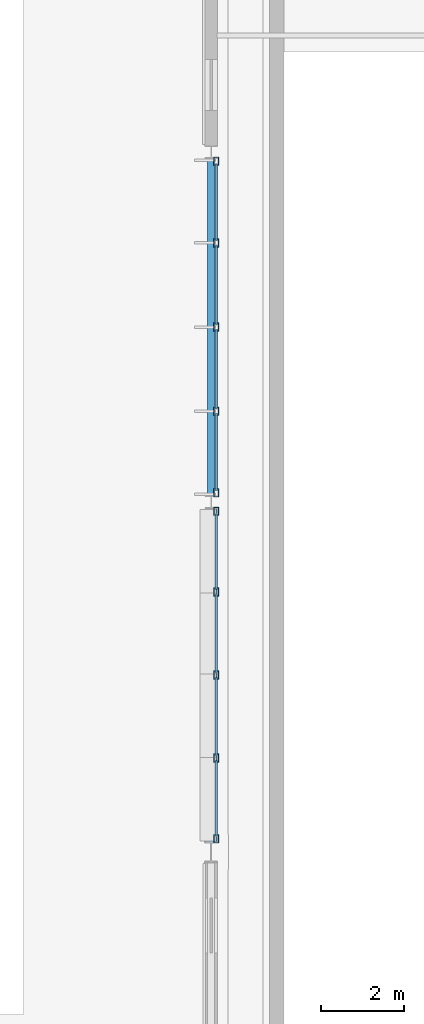
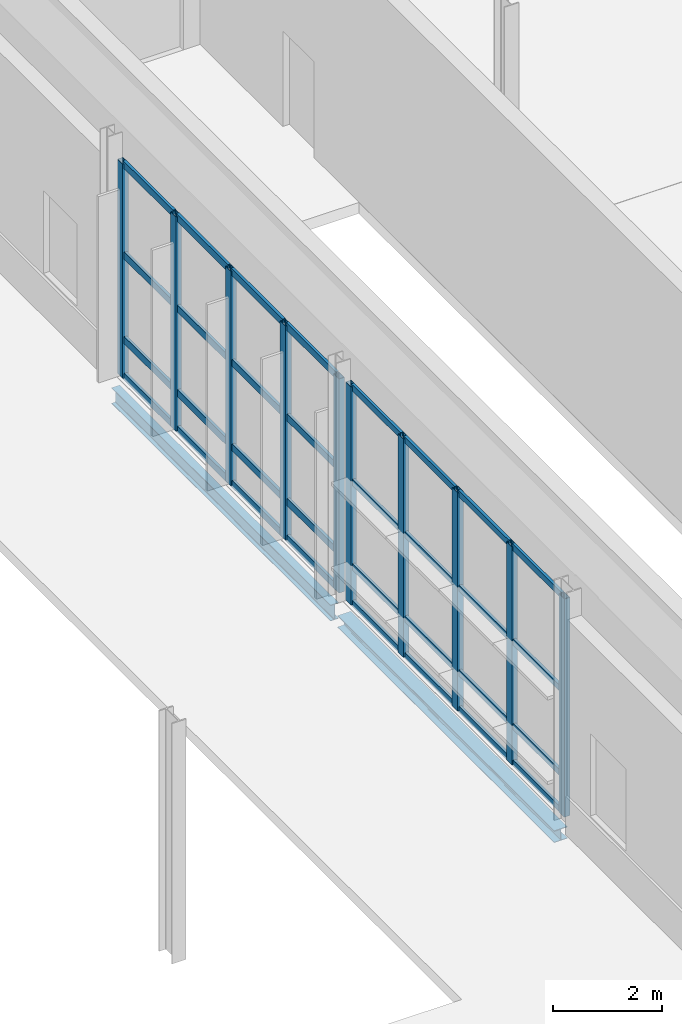
# One storey, part 36 of 124: 42 members, 2 beams, 2 elements without a shape of their own.
"""IFC4 building model written with IfcOpenShell, lengths in metres."""

from ifc_helpers import new_model, si_unit, direction, frame, origin, origin_2d, place, context, subcontext, project, spatial, hollow_rectangle, i_section, extrude, material, material_profile, profile_set, type_object, element, aggregate, save


model = new_model("IFC4")

# Units and contexts
model_context = context("Model", 3, precision=1e-05, world=origin(), true_north=direction((0.0, 1.0)))
body_context = subcontext(model_context, "Body", "Model", "MODEL_VIEW")
ifc_project = project(units=[si_unit("LENGTHUNIT", "METRE"), si_unit("AREAUNIT", "SQUARE_METRE"), si_unit("VOLUMEUNIT", "CUBIC_METRE"), si_unit("PLANEANGLEUNIT", "RADIAN"), si_unit("MASSUNIT", "GRAM", prefix="KILO")], contexts=[model_context])

# Site, building, storey
site_placement = place(None, origin())
site = spatial("IfcSite", under=ifc_project, at=site_placement, CompositionType="ELEMENT")
building_placement = place(site_placement, origin())
building = spatial("IfcBuilding", under=site, at=building_placement, Name="Mersafa Astral City Hall", CompositionType="ELEMENT")
storey_placement = place(building_placement, origin())
storey = spatial("IfcBuildingStorey", under=building, at=storey_placement, Name="L00", CompositionType="ELEMENT", Elevation=0.0)

# Curtain wall, members
ifc_material_1 = material(Name="Anodised bronze aluminium framing", Category="aluminium")
curtain_wall_type_1 = type_object("IfcCurtainWallType", Name="ENV-CW-5", PredefinedType="USERDEFINED", material=ifc_material_1)
curtain_wall_1_placement = place(storey_placement, origin())
curtain_wall_1 = element("IfcCurtainWall", 1, at=curtain_wall_1_placement, inside=storey, type_object=curtain_wall_type_1, Name="L00 Unitised solar curtain wall 34", ObjectType="UNITISED CURTAIN WALL", PredefinedType="USERDEFINED")
ifc_material_profile_1 = material_profile(ifc_material_1, hollow_rectangle(XDim=0.1201171875, YDim=0.199951171875, WallThickness=0.008056640625, at=origin_2d()), Name="RHS 120x200x8")
ifc_profile_set_1 = profile_set([ifc_material_profile_1], Name="Anodised bronze aluminium framing")
member_type_1 = type_object("IfcMemberType", Name="ENV-CW-MUL-2", PredefinedType="MULLION", material=ifc_profile_set_1)
member_1_placement = place(storey_placement, frame((25.320068359375, 117.3779296875, -0.001953125), z_axis=(0.0, 0.0, 1.0), x_axis=(1.0, 0.0, 0.0)))
member_1 = element("IfcMember", 2, at=member_1_placement, type_object=member_type_1, Name="CW-5 mullion 1", PredefinedType="MULLION", context=body_context, shape_type="SweptSolid", body=[
    extrude(hollow_rectangle(XDim=0.1201171875, YDim=0.199951171875, WallThickness=0.008056640625, at=origin_2d()), origin(), (0.0, 0.0, 1.0), 4.81396484375),
])
member_2_placement = place(storey_placement, frame((25.320068359375, 115.4189453125, -0.001953125), z_axis=(0.0, 0.0, 1.0), x_axis=(1.0, 0.0, 0.0)))
member_2 = element("IfcMember", 3, at=member_2_placement, type_object=member_type_1, Name="CW-5 mullion 2", PredefinedType="MULLION", context=body_context, shape_type="SweptSolid", body=[
    extrude(hollow_rectangle(XDim=0.1201171875, YDim=0.199951171875, WallThickness=0.008056640625, at=origin_2d()), origin(), (0.0, 0.0, 1.0), 4.81396484375),
])
member_3_placement = place(storey_placement, frame((25.320068359375, 113.39990234375, -0.001953125), z_axis=(0.0, 0.0, 1.0), x_axis=(1.0, 0.0, 0.0)))
member_3 = element("IfcMember", 4, at=member_3_placement, type_object=member_type_1, Name="CW-5 mullion 3", PredefinedType="MULLION", context=body_context, shape_type="SweptSolid", body=[
    extrude(hollow_rectangle(XDim=0.1201171875, YDim=0.199951171875, WallThickness=0.008056640625, at=origin_2d()), origin(), (0.0, 0.0, 1.0), 4.81396484375),
])
member_4_placement = place(storey_placement, frame((25.320068359375, 111.381103515625, -0.001953125), z_axis=(0.0, 0.0, 1.0), x_axis=(1.0, 0.0, 0.0)))
member_4 = element("IfcMember", 5, at=member_4_placement, type_object=member_type_1, Name="CW-5 mullion 4", PredefinedType="MULLION", context=body_context, shape_type="SweptSolid", body=[
    extrude(hollow_rectangle(XDim=0.1201171875, YDim=0.199951171875, WallThickness=0.008056640625, at=origin_2d()), origin(), (0.0, 0.0, 1.0), 4.81396484375),
])
member_5_placement = place(storey_placement, frame((25.320068359375, 109.422119140625, -0.001953125), z_axis=(0.0, 0.0, 1.0), x_axis=(1.0, 0.0, 0.0)))
member_5 = element("IfcMember", 6, at=member_5_placement, type_object=member_type_1, Name="CW-5 mullion 5", PredefinedType="MULLION", context=body_context, shape_type="SweptSolid", body=[
    extrude(hollow_rectangle(XDim=0.1201171875, YDim=0.199951171875, WallThickness=0.008056640625, at=origin_2d()), origin(), (0.0, 0.0, 1.0), 4.81396484375),
])

curtain_wall_type_2 = type_object("IfcCurtainWallType", Name="ENV-CW-6", PredefinedType="USERDEFINED", material=ifc_material_1)
curtain_wall_2_placement = place(storey_placement, origin())
curtain_wall_2 = element("IfcCurtainWall", 7, at=curtain_wall_2_placement, inside=storey, type_object=curtain_wall_type_2, Name="L00 Unitised solar curtain wall 35", ObjectType="UNITISED CURTAIN WALL", PredefinedType="USERDEFINED")
member_6_placement = place(storey_placement, frame((25.320068359375, 108.97802734375, -0.001953125), z_axis=(0.0, 0.0, 1.0), x_axis=(1.0, 0.0, 0.0)))
member_6 = element("IfcMember", 8, at=member_6_placement, type_object=member_type_1, Name="CW-6 mullion 1", PredefinedType="MULLION", context=body_context, shape_type="SweptSolid", body=[
    extrude(hollow_rectangle(XDim=0.1201171875, YDim=0.199951171875, WallThickness=0.008056640625, at=origin_2d()), origin(), (0.0, 0.0, 1.0), 4.904052734375),
])
member_7_placement = place(storey_placement, frame((25.320068359375, 107.0439453125, -0.001953125), z_axis=(0.0, 0.0, 1.0), x_axis=(1.0, 0.0, 0.0)))
member_7 = element("IfcMember", 9, at=member_7_placement, type_object=member_type_1, Name="CW-6 mullion 2", PredefinedType="MULLION", context=body_context, shape_type="SweptSolid", body=[
    extrude(hollow_rectangle(XDim=0.1201171875, YDim=0.199951171875, WallThickness=0.008056640625, at=origin_2d()), origin(), (0.0, 0.0, 1.0), 4.904052734375),
])
member_8_placement = place(storey_placement, frame((25.320068359375, 105.050048828125, -0.001953125), z_axis=(0.0, 0.0, 1.0), x_axis=(1.0, 0.0, 0.0)))
member_8 = element("IfcMember", 10, at=member_8_placement, type_object=member_type_1, Name="CW-6 mullion 3", PredefinedType="MULLION", context=body_context, shape_type="SweptSolid", body=[
    extrude(hollow_rectangle(XDim=0.1201171875, YDim=0.199951171875, WallThickness=0.008056640625, at=origin_2d()), origin(), (0.0, 0.0, 1.0), 4.904052734375),
])
member_9_placement = place(storey_placement, frame((25.320068359375, 103.055908203125, -0.001953125), z_axis=(0.0, 0.0, 1.0), x_axis=(1.0, 0.0, 0.0)))
member_9 = element("IfcMember", 11, at=member_9_placement, type_object=member_type_1, Name="CW-6 mullion 4", PredefinedType="MULLION", context=body_context, shape_type="SweptSolid", body=[
    extrude(hollow_rectangle(XDim=0.1201171875, YDim=0.199951171875, WallThickness=0.008056640625, at=origin_2d()), origin(), (0.0, 0.0, 1.0), 4.904052734375),
])
member_10_placement = place(storey_placement, frame((25.320068359375, 101.1220703125, -0.001953125), z_axis=(0.0, 0.0, 1.0), x_axis=(1.0, 0.0, 0.0)))
member_10 = element("IfcMember", 12, at=member_10_placement, type_object=member_type_1, Name="CW-6 mullion 5", PredefinedType="MULLION", context=body_context, shape_type="SweptSolid", body=[
    extrude(hollow_rectangle(XDim=0.1201171875, YDim=0.199951171875, WallThickness=0.008056640625, at=origin_2d()), origin(), (0.0, 0.0, 1.0), 4.904052734375),
])
ifc_material_profile_2 = material_profile(ifc_material_1, hollow_rectangle(XDim=0.06005859375, YDim=0.139892578125, WallThickness=0.00390625, at=origin_2d()), Name="RHS 60x140x4")
ifc_profile_set_2 = profile_set([ifc_material_profile_2], Name="Anodised bronze aluminium framing")
member_type_2 = type_object("IfcMemberType", Name="ENV-CW-TRN-1", PredefinedType="USERDEFINED", material=ifc_profile_set_2)
member_11_placement = place(storey_placement, frame((25.320068359375, 108.91796875, 0.028076171875), z_axis=(0.0, -1.0, 0.0), x_axis=(1.0, 0.0, 0.0)))
member_11 = element("IfcMember", 13, at=member_11_placement, type_object=member_type_2, Name="CW-6 transom 1.1", ObjectType="TRANSOM", PredefinedType="USERDEFINED", context=body_context, shape_type="SweptSolid", body=[
    extrude(hollow_rectangle(XDim=0.06005859375, YDim=0.139892578125, WallThickness=0.00390625, at=origin_2d()), origin(), (0.0, 0.0, 1.0), 1.81396484375),
])
member_12_placement = place(storey_placement, frame((25.320068359375, 108.91796875, 0.85009765625), z_axis=(0.0, -1.0, 0.0), x_axis=(1.0, 0.0, 0.0)))
member_12 = element("IfcMember", 14, at=member_12_placement, type_object=member_type_2, Name="CW-6 transom 1.2", ObjectType="TRANSOM", PredefinedType="USERDEFINED", context=body_context, shape_type="SweptSolid", body=[
    extrude(hollow_rectangle(XDim=0.06005859375, YDim=0.139892578125, WallThickness=0.00390625, at=origin_2d()), origin(), (0.0, 0.0, 1.0), 1.81396484375),
])
member_13_placement = place(storey_placement, frame((25.320068359375, 108.91796875, 2.75), z_axis=(0.0, -1.0, 0.0), x_axis=(1.0, 0.0, 0.0)))
member_13 = element("IfcMember", 15, at=member_13_placement, type_object=member_type_2, Name="CW-6 transom 1.3", ObjectType="TRANSOM", PredefinedType="USERDEFINED", context=body_context, shape_type="SweptSolid", body=[
    extrude(hollow_rectangle(XDim=0.06005859375, YDim=0.139892578125, WallThickness=0.00390625, at=origin_2d()), origin(), (0.0, 0.0, 1.0), 1.81396484375),
])
member_14_placement = place(storey_placement, frame((25.320068359375, 108.91796875, 4.8720703125), z_axis=(0.0, -1.0, 0.0), x_axis=(1.0, 0.0, 0.0)))
member_14 = element("IfcMember", 16, at=member_14_placement, type_object=member_type_2, Name="CW-6 transom 1.4", ObjectType="TRANSOM", PredefinedType="USERDEFINED", context=body_context, shape_type="SweptSolid", body=[
    extrude(hollow_rectangle(XDim=0.06005859375, YDim=0.139892578125, WallThickness=0.00390625, at=origin_2d()), origin(), (0.0, 0.0, 1.0), 1.81396484375),
])
member_15_placement = place(storey_placement, frame((25.320068359375, 106.98388671875, 0.028076171875), z_axis=(0.0, -1.0, 0.0), x_axis=(1.0, 0.0, 0.0)))
member_15 = element("IfcMember", 17, at=member_15_placement, type_object=member_type_2, Name="CW-6 transom 2.1", ObjectType="TRANSOM", PredefinedType="USERDEFINED", context=body_context, shape_type="SweptSolid", body=[
    extrude(hollow_rectangle(XDim=0.06005859375, YDim=0.139892578125, WallThickness=0.00390625, at=origin_2d()), origin(), (0.0, 0.0, 1.0), 1.873779296875),
])
member_16_placement = place(storey_placement, frame((25.320068359375, 106.98388671875, 0.85009765625), z_axis=(0.0, -1.0, 0.0), x_axis=(1.0, 0.0, 0.0)))
member_16 = element("IfcMember", 18, at=member_16_placement, type_object=member_type_2, Name="CW-6 transom 2.2", ObjectType="TRANSOM", PredefinedType="USERDEFINED", context=body_context, shape_type="SweptSolid", body=[
    extrude(hollow_rectangle(XDim=0.06005859375, YDim=0.139892578125, WallThickness=0.00390625, at=origin_2d()), origin(), (0.0, 0.0, 1.0), 1.873779296875),
])
member_17_placement = place(storey_placement, frame((25.320068359375, 106.98388671875, 2.75), z_axis=(0.0, -1.0, 0.0), x_axis=(1.0, 0.0, 0.0)))
member_17 = element("IfcMember", 19, at=member_17_placement, type_object=member_type_2, Name="CW-6 transom 2.3", ObjectType="TRANSOM", PredefinedType="USERDEFINED", context=body_context, shape_type="SweptSolid", body=[
    extrude(hollow_rectangle(XDim=0.06005859375, YDim=0.139892578125, WallThickness=0.00390625, at=origin_2d()), origin(), (0.0, 0.0, 1.0), 1.873779296875),
])
member_18_placement = place(storey_placement, frame((25.320068359375, 106.98388671875, 4.8720703125), z_axis=(0.0, -1.0, 0.0), x_axis=(1.0, 0.0, 0.0)))
member_18 = element("IfcMember", 20, at=member_18_placement, type_object=member_type_2, Name="CW-6 transom 2.4", ObjectType="TRANSOM", PredefinedType="USERDEFINED", context=body_context, shape_type="SweptSolid", body=[
    extrude(hollow_rectangle(XDim=0.06005859375, YDim=0.139892578125, WallThickness=0.00390625, at=origin_2d()), origin(), (0.0, 0.0, 1.0), 1.873779296875),
])
member_19_placement = place(storey_placement, frame((25.320068359375, 104.989990234375, 0.028076171875), z_axis=(0.0, -1.0, 0.0), x_axis=(1.0, 0.0, 0.0)))
member_19 = element("IfcMember", 21, at=member_19_placement, type_object=member_type_2, Name="CW-6 transom 3.1", ObjectType="TRANSOM", PredefinedType="USERDEFINED", context=body_context, shape_type="SweptSolid", body=[
    extrude(hollow_rectangle(XDim=0.06005859375, YDim=0.139892578125, WallThickness=0.00390625, at=origin_2d()), origin(), (0.0, 0.0, 1.0), 1.8740234375),
])
member_20_placement = place(storey_placement, frame((25.320068359375, 104.989990234375, 0.85009765625), z_axis=(0.0, -1.0, 0.0), x_axis=(1.0, 0.0, 0.0)))
member_20 = element("IfcMember", 22, at=member_20_placement, type_object=member_type_2, Name="CW-6 transom 3.2", ObjectType="TRANSOM", PredefinedType="USERDEFINED", context=body_context, shape_type="SweptSolid", body=[
    extrude(hollow_rectangle(XDim=0.06005859375, YDim=0.139892578125, WallThickness=0.00390625, at=origin_2d()), origin(), (0.0, 0.0, 1.0), 1.8740234375),
])
member_21_placement = place(storey_placement, frame((25.320068359375, 104.989990234375, 2.75), z_axis=(0.0, -1.0, 0.0), x_axis=(1.0, 0.0, 0.0)))
member_21 = element("IfcMember", 23, at=member_21_placement, type_object=member_type_2, Name="CW-6 transom 3.3", ObjectType="TRANSOM", PredefinedType="USERDEFINED", context=body_context, shape_type="SweptSolid", body=[
    extrude(hollow_rectangle(XDim=0.06005859375, YDim=0.139892578125, WallThickness=0.00390625, at=origin_2d()), origin(), (0.0, 0.0, 1.0), 1.8740234375),
])
member_22_placement = place(storey_placement, frame((25.320068359375, 104.989990234375, 4.8720703125), z_axis=(0.0, -1.0, 0.0), x_axis=(1.0, 0.0, 0.0)))
member_22 = element("IfcMember", 24, at=member_22_placement, type_object=member_type_2, Name="CW-6 transom 3.4", ObjectType="TRANSOM", PredefinedType="USERDEFINED", context=body_context, shape_type="SweptSolid", body=[
    extrude(hollow_rectangle(XDim=0.06005859375, YDim=0.139892578125, WallThickness=0.00390625, at=origin_2d()), origin(), (0.0, 0.0, 1.0), 1.8740234375),
])
member_23_placement = place(storey_placement, frame((25.320068359375, 102.99609375, 0.028076171875), z_axis=(0.0, -1.0, 0.0), x_axis=(1.0, 0.0, 0.0)))
member_23 = element("IfcMember", 25, at=member_23_placement, type_object=member_type_2, Name="CW-6 transom 4.1", ObjectType="TRANSOM", PredefinedType="USERDEFINED", context=body_context, shape_type="SweptSolid", body=[
    extrude(hollow_rectangle(XDim=0.06005859375, YDim=0.139892578125, WallThickness=0.00390625, at=origin_2d()), origin(), (0.0, 0.0, 1.0), 1.814208984375),
])
member_24_placement = place(storey_placement, frame((25.320068359375, 102.99609375, 0.85009765625), z_axis=(0.0, -1.0, 0.0), x_axis=(1.0, 0.0, 0.0)))
member_24 = element("IfcMember", 26, at=member_24_placement, type_object=member_type_2, Name="CW-6 transom 4.2", ObjectType="TRANSOM", PredefinedType="USERDEFINED", context=body_context, shape_type="SweptSolid", body=[
    extrude(hollow_rectangle(XDim=0.06005859375, YDim=0.139892578125, WallThickness=0.00390625, at=origin_2d()), origin(), (0.0, 0.0, 1.0), 1.814208984375),
])
member_25_placement = place(storey_placement, frame((25.320068359375, 102.99609375, 2.75), z_axis=(0.0, -1.0, 0.0), x_axis=(1.0, 0.0, 0.0)))
member_25 = element("IfcMember", 27, at=member_25_placement, type_object=member_type_2, Name="CW-6 transom 4.3", ObjectType="TRANSOM", PredefinedType="USERDEFINED", context=body_context, shape_type="SweptSolid", body=[
    extrude(hollow_rectangle(XDim=0.06005859375, YDim=0.139892578125, WallThickness=0.00390625, at=origin_2d()), origin(), (0.0, 0.0, 1.0), 1.814208984375),
])
member_26_placement = place(storey_placement, frame((25.320068359375, 102.99609375, 4.8720703125), z_axis=(0.0, -1.0, 0.0), x_axis=(1.0, 0.0, 0.0)))
member_26 = element("IfcMember", 28, at=member_26_placement, type_object=member_type_2, Name="CW-6 transom 4.4", ObjectType="TRANSOM", PredefinedType="USERDEFINED", context=body_context, shape_type="SweptSolid", body=[
    extrude(hollow_rectangle(XDim=0.06005859375, YDim=0.139892578125, WallThickness=0.00390625, at=origin_2d()), origin(), (0.0, 0.0, 1.0), 1.814208984375),
])
aggregate(curtain_wall_2, [member_6, member_7, member_8, member_9, member_10, member_11, member_12, member_13, member_14, member_15, member_16, member_17, member_18, member_19, member_20, member_21, member_22, member_23, member_24, member_25, member_26])

# Member
ifc_material_profile_3 = material_profile(ifc_material_1, hollow_rectangle(XDim=0.06005859375, YDim=0.159912109375, WallThickness=0.00390625, at=origin_2d()), Name="RHS 60x160x4")
ifc_profile_set_3 = profile_set([ifc_material_profile_3], Name="Anodised bronze aluminium framing")
member_type_3 = type_object("IfcMemberType", Name="ENV-CW-TRN-2", PredefinedType="USERDEFINED", material=ifc_profile_set_3)
member_27_placement = place(storey_placement, frame((25.320068359375, 117.318115234375, 0.028076171875), z_axis=(0.0, -1.0, 0.0), x_axis=(1.0, 0.0, 0.0)))
member_27 = element("IfcMember", 29, at=member_27_placement, type_object=member_type_3, Name="CW-5 transom 1.1", ObjectType="TRANSOM", PredefinedType="USERDEFINED", context=body_context, shape_type="SweptSolid", body=[
    extrude(hollow_rectangle(XDim=0.06005859375, YDim=0.159912109375, WallThickness=0.00390625, at=origin_2d()), origin(), (0.0, 0.0, 1.0), 1.839111328125),
])

member_28_placement = place(storey_placement, frame((25.320068359375, 117.318115234375, 0.85009765625), z_axis=(0.0, -1.0, 0.0), x_axis=(1.0, 0.0, 0.0)))
member_28 = element("IfcMember", 30, at=member_28_placement, type_object=member_type_3, Name="CW-5 transom 1.2", ObjectType="TRANSOM", PredefinedType="USERDEFINED", context=body_context, shape_type="SweptSolid", body=[
    extrude(hollow_rectangle(XDim=0.06005859375, YDim=0.159912109375, WallThickness=0.00390625, at=origin_2d()), origin(), (0.0, 0.0, 1.0), 1.839111328125),
])

member_29_placement = place(storey_placement, frame((25.320068359375, 117.318115234375, 2.75), z_axis=(0.0, -1.0, 0.0), x_axis=(1.0, 0.0, 0.0)))
member_29 = element("IfcMember", 31, at=member_29_placement, type_object=member_type_3, Name="CW-5 transom 1.3", ObjectType="TRANSOM", PredefinedType="USERDEFINED", context=body_context, shape_type="SweptSolid", body=[
    extrude(hollow_rectangle(XDim=0.06005859375, YDim=0.159912109375, WallThickness=0.00390625, at=origin_2d()), origin(), (0.0, 0.0, 1.0), 1.839111328125),
])

member_30_placement = place(storey_placement, frame((25.320068359375, 117.318115234375, 4.781982421875), z_axis=(0.0, -1.0, 0.0), x_axis=(1.0, 0.0, 0.0)))
member_30 = element("IfcMember", 32, at=member_30_placement, type_object=member_type_3, Name="CW-5 transom 1.4", ObjectType="TRANSOM", PredefinedType="USERDEFINED", context=body_context, shape_type="SweptSolid", body=[
    extrude(hollow_rectangle(XDim=0.06005859375, YDim=0.159912109375, WallThickness=0.00390625, at=origin_2d()), origin(), (0.0, 0.0, 1.0), 1.839111328125),
])

member_31_placement = place(storey_placement, frame((25.320068359375, 115.35888671875, 0.028076171875), z_axis=(0.0, -1.0, 0.0), x_axis=(1.0, 0.0, 0.0)))
member_31 = element("IfcMember", 33, at=member_31_placement, type_object=member_type_3, Name="CW-5 transom 2.1", ObjectType="TRANSOM", PredefinedType="USERDEFINED", context=body_context, shape_type="SweptSolid", body=[
    extrude(hollow_rectangle(XDim=0.06005859375, YDim=0.159912109375, WallThickness=0.00390625, at=origin_2d()), origin(), (0.0, 0.0, 1.0), 1.89892578125),
])

member_32_placement = place(storey_placement, frame((25.320068359375, 115.35888671875, 0.85009765625), z_axis=(0.0, -1.0, 0.0), x_axis=(1.0, 0.0, 0.0)))
member_32 = element("IfcMember", 34, at=member_32_placement, type_object=member_type_3, Name="CW-5 transom 2.2", ObjectType="TRANSOM", PredefinedType="USERDEFINED", context=body_context, shape_type="SweptSolid", body=[
    extrude(hollow_rectangle(XDim=0.06005859375, YDim=0.159912109375, WallThickness=0.00390625, at=origin_2d()), origin(), (0.0, 0.0, 1.0), 1.89892578125),
])

member_33_placement = place(storey_placement, frame((25.320068359375, 115.35888671875, 2.75), z_axis=(0.0, -1.0, 0.0), x_axis=(1.0, 0.0, 0.0)))
member_33 = element("IfcMember", 35, at=member_33_placement, type_object=member_type_3, Name="CW-5 transom 2.3", ObjectType="TRANSOM", PredefinedType="USERDEFINED", context=body_context, shape_type="SweptSolid", body=[
    extrude(hollow_rectangle(XDim=0.06005859375, YDim=0.159912109375, WallThickness=0.00390625, at=origin_2d()), origin(), (0.0, 0.0, 1.0), 1.89892578125),
])

member_34_placement = place(storey_placement, frame((25.320068359375, 115.35888671875, 4.781982421875), z_axis=(0.0, -1.0, 0.0), x_axis=(1.0, 0.0, 0.0)))
member_34 = element("IfcMember", 36, at=member_34_placement, type_object=member_type_3, Name="CW-5 transom 2.4", ObjectType="TRANSOM", PredefinedType="USERDEFINED", context=body_context, shape_type="SweptSolid", body=[
    extrude(hollow_rectangle(XDim=0.06005859375, YDim=0.159912109375, WallThickness=0.00390625, at=origin_2d()), origin(), (0.0, 0.0, 1.0), 1.89892578125),
])

member_35_placement = place(storey_placement, frame((25.320068359375, 113.340087890625, 0.028076171875), z_axis=(0.0, -1.0, 0.0), x_axis=(1.0, 0.0, 0.0)))
member_35 = element("IfcMember", 37, at=member_35_placement, type_object=member_type_3, Name="CW-5 transom 3.1", ObjectType="TRANSOM", PredefinedType="USERDEFINED", context=body_context, shape_type="SweptSolid", body=[
    extrude(hollow_rectangle(XDim=0.06005859375, YDim=0.159912109375, WallThickness=0.00390625, at=origin_2d()), origin(), (0.0, 0.0, 1.0), 1.899169921875),
])

member_36_placement = place(storey_placement, frame((25.320068359375, 113.340087890625, 0.85009765625), z_axis=(0.0, -1.0, 0.0), x_axis=(1.0, 0.0, 0.0)))
member_36 = element("IfcMember", 38, at=member_36_placement, type_object=member_type_3, Name="CW-5 transom 3.2", ObjectType="TRANSOM", PredefinedType="USERDEFINED", context=body_context, shape_type="SweptSolid", body=[
    extrude(hollow_rectangle(XDim=0.06005859375, YDim=0.159912109375, WallThickness=0.00390625, at=origin_2d()), origin(), (0.0, 0.0, 1.0), 1.899169921875),
])

member_37_placement = place(storey_placement, frame((25.320068359375, 113.340087890625, 2.75), z_axis=(0.0, -1.0, 0.0), x_axis=(1.0, 0.0, 0.0)))
member_37 = element("IfcMember", 39, at=member_37_placement, type_object=member_type_3, Name="CW-5 transom 3.3", ObjectType="TRANSOM", PredefinedType="USERDEFINED", context=body_context, shape_type="SweptSolid", body=[
    extrude(hollow_rectangle(XDim=0.06005859375, YDim=0.159912109375, WallThickness=0.00390625, at=origin_2d()), origin(), (0.0, 0.0, 1.0), 1.899169921875),
])

member_38_placement = place(storey_placement, frame((25.320068359375, 113.340087890625, 4.781982421875), z_axis=(0.0, -1.0, 0.0), x_axis=(1.0, 0.0, 0.0)))
member_38 = element("IfcMember", 40, at=member_38_placement, type_object=member_type_3, Name="CW-5 transom 3.4", ObjectType="TRANSOM", PredefinedType="USERDEFINED", context=body_context, shape_type="SweptSolid", body=[
    extrude(hollow_rectangle(XDim=0.06005859375, YDim=0.159912109375, WallThickness=0.00390625, at=origin_2d()), origin(), (0.0, 0.0, 1.0), 1.899169921875),
])

member_39_placement = place(storey_placement, frame((25.320068359375, 111.321044921875, 0.028076171875), z_axis=(0.0, -1.0, 0.0), x_axis=(1.0, 0.0, 0.0)))
member_39 = element("IfcMember", 41, at=member_39_placement, type_object=member_type_3, Name="CW-5 transom 4.1", ObjectType="TRANSOM", PredefinedType="USERDEFINED", context=body_context, shape_type="SweptSolid", body=[
    extrude(hollow_rectangle(XDim=0.06005859375, YDim=0.159912109375, WallThickness=0.00390625, at=origin_2d()), origin(), (0.0, 0.0, 1.0), 1.839111328125),
])

member_40_placement = place(storey_placement, frame((25.320068359375, 111.321044921875, 0.85009765625), z_axis=(0.0, -1.0, 0.0), x_axis=(1.0, 0.0, 0.0)))
member_40 = element("IfcMember", 42, at=member_40_placement, type_object=member_type_3, Name="CW-5 transom 4.2", ObjectType="TRANSOM", PredefinedType="USERDEFINED", context=body_context, shape_type="SweptSolid", body=[
    extrude(hollow_rectangle(XDim=0.06005859375, YDim=0.159912109375, WallThickness=0.00390625, at=origin_2d()), origin(), (0.0, 0.0, 1.0), 1.839111328125),
])

member_41_placement = place(storey_placement, frame((25.320068359375, 111.321044921875, 2.75), z_axis=(0.0, -1.0, 0.0), x_axis=(1.0, 0.0, 0.0)))
member_41 = element("IfcMember", 43, at=member_41_placement, type_object=member_type_3, Name="CW-5 transom 4.3", ObjectType="TRANSOM", PredefinedType="USERDEFINED", context=body_context, shape_type="SweptSolid", body=[
    extrude(hollow_rectangle(XDim=0.06005859375, YDim=0.159912109375, WallThickness=0.00390625, at=origin_2d()), origin(), (0.0, 0.0, 1.0), 1.839111328125),
])

member_42_placement = place(storey_placement, frame((25.320068359375, 111.321044921875, 4.781982421875), z_axis=(0.0, -1.0, 0.0), x_axis=(1.0, 0.0, 0.0)))
member_42 = element("IfcMember", 44, at=member_42_placement, type_object=member_type_3, Name="CW-5 transom 4.4", ObjectType="TRANSOM", PredefinedType="USERDEFINED", context=body_context, shape_type="SweptSolid", body=[
    extrude(hollow_rectangle(XDim=0.06005859375, YDim=0.159912109375, WallThickness=0.00390625, at=origin_2d()), origin(), (0.0, 0.0, 1.0), 1.839111328125),
])

aggregate(curtain_wall_1, [member_1, member_2, member_3, member_4, member_5, member_27, member_28, member_29, member_30, member_31, member_32, member_33, member_34, member_35, member_36, member_37, member_38, member_39, member_40, member_41, member_42])

# Beams
ifc_material_2 = material(Name="Steel S355", Category="steel")
ifc_material_profile_4 = material_profile(ifc_material_2, i_section(OverallWidth=0.280029296875, OverallDepth=0.27001953125, WebThickness=0.008056640625, FlangeThickness=0.012939453125, FilletRadius=0.02392578125, at=origin_2d()), Name="HEA 280")
ifc_profile_set_4 = profile_set([ifc_material_profile_4], Name="Steel S355")
beam_type_1 = type_object("IfcBeamType", Name="STR-BM-SPANDREL-HEA280", PredefinedType="SPANDREL", material=ifc_profile_set_4)
beam_1_placement = place(storey_placement, frame((25.199951171875, 101.044921875, -0.385009765625), z_axis=(0.0, 1.0, 0.0), x_axis=(-1.0, 0.0, 0.0)))
element("IfcBeam", 45, at=beam_1_placement, inside=storey, type_object=beam_type_1, Name="L00 Primary girder Y 3-12", PredefinedType="SPANDREL", context=body_context, shape_type="SweptSolid", body=[
    extrude(i_section(OverallWidth=0.280029296875, OverallDepth=0.27001953125, WebThickness=0.008056640625, FlangeThickness=0.012939453125, FilletRadius=0.02392578125, at=origin_2d()), origin(), (0.0, 0.0, 1.0), 7.97998046875),
])
ifc_material_profile_5 = material_profile(ifc_material_2, i_section(OverallWidth=0.169921875, OverallDepth=0.360107421875, WebThickness=0.008056640625, FlangeThickness=0.0126953125, FilletRadius=0.01806640625, at=origin_2d()), Name="IPE 360")
ifc_profile_set_5 = profile_set([ifc_material_profile_5], Name="Steel S355")
beam_type_2 = type_object("IfcBeamType", Name="STR-BM-SPANDREL-IPE360", PredefinedType="SPANDREL", material=ifc_profile_set_5)
beam_2_placement = place(storey_placement, frame((25.199951171875, 109.375, -0.429931640625), z_axis=(0.0, 1.0, 0.0), x_axis=(-1.0, 0.0, 0.0)))
element("IfcBeam", 46, at=beam_2_placement, inside=storey, type_object=beam_type_2, Name="L00 Primary girder Y 3-13", PredefinedType="SPANDREL", context=body_context, shape_type="SweptSolid", body=[
    extrude(i_section(OverallWidth=0.169921875, OverallDepth=0.360107421875, WebThickness=0.008056640625, FlangeThickness=0.0126953125, FilletRadius=0.01806640625, at=origin_2d()), origin(), (0.0, 0.0, 1.0), 8.06005859375),
])

save(model, "model.ifc")
